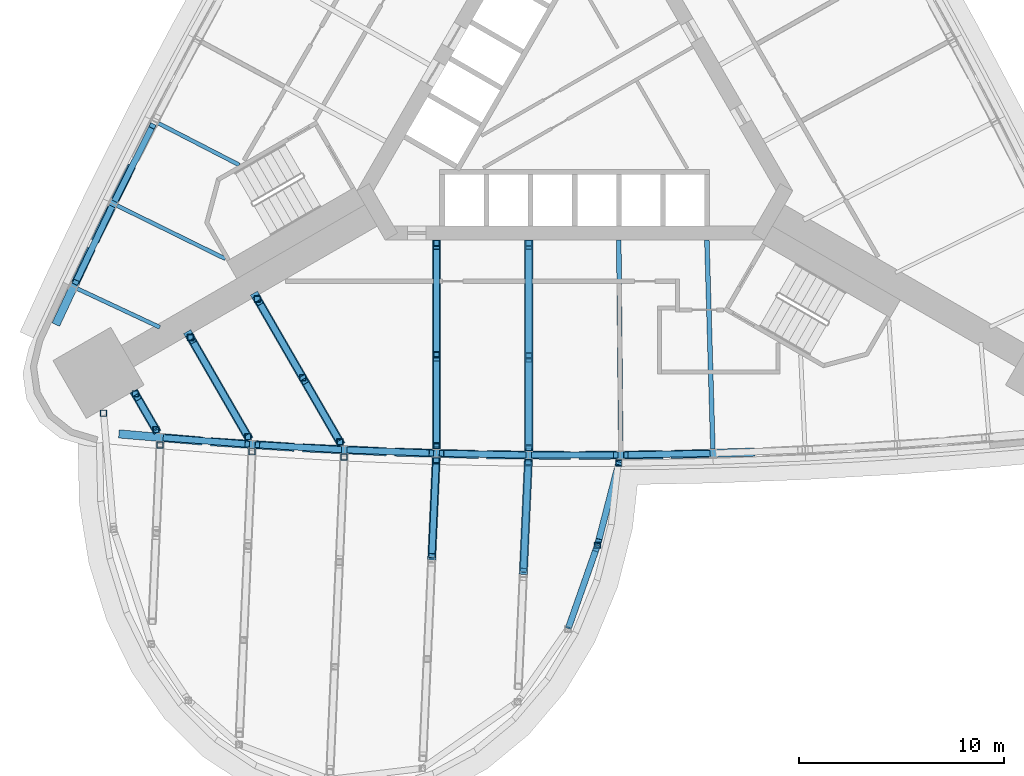
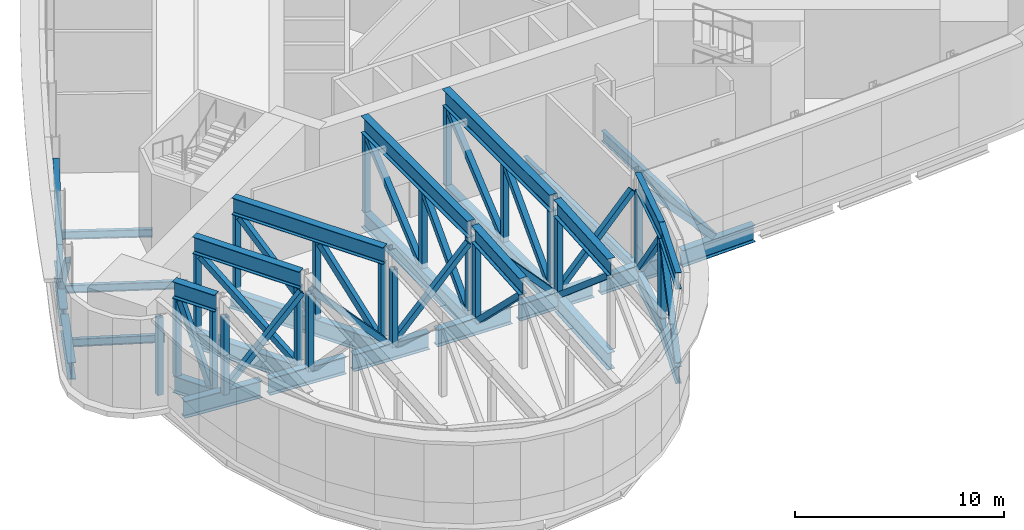
# One storey, part 3 of 10: 58 members, 14 beams.
"""IFC4 building model written with IfcOpenShell, lengths in metres."""

from ifc_helpers import new_model, si_unit, direction, frame, origin, origin_2d, place, context, subcontext, project, spatial, hollow_rectangle, i_section, extrude, material, material_profile, profile_set, type_object, element, save


model = new_model("IFC4")

# Units and contexts
model_context = context("Model", 3, precision=1e-05, world=origin(), true_north=direction((0.0, 1.0)))
body_context = subcontext(model_context, "Body", "Model", "MODEL_VIEW")
ifc_project = project(units=[si_unit("LENGTHUNIT", "METRE"), si_unit("AREAUNIT", "SQUARE_METRE"), si_unit("VOLUMEUNIT", "CUBIC_METRE"), si_unit("PLANEANGLEUNIT", "RADIAN"), si_unit("MASSUNIT", "GRAM", prefix="KILO")], contexts=[model_context])

# Site, building, storey
site_placement = place(None, origin())
site = spatial("IfcSite", under=ifc_project, at=site_placement, CompositionType="ELEMENT")
building_placement = place(site_placement, origin())
building = spatial("IfcBuilding", under=site, at=building_placement, Name="Noor Cloister Tower", CompositionType="ELEMENT")
storey_placement = place(building_placement, frame((0.0, 0.0, 52.800048828125)))
storey = spatial("IfcBuildingStorey", under=building, at=storey_placement, Name="L13", CompositionType="ELEMENT", Elevation=52.800048828125)

# Members
ifc_material_1 = material(Name="Steel ASTM A500 Gr C", Category="steel")
ifc_material_profile_1 = material_profile(ifc_material_1, hollow_rectangle(XDim=0.304931640625, YDim=0.304931640625, WallThickness=0.0126953125, at=origin_2d()), Name="HSS304.8x304.8x12.7")
ifc_profile_set_1 = profile_set([ifc_material_profile_1], Name="Steel ASTM A500 Gr C")
member_type_1 = type_object("IfcMemberType", Name="Belt truss diagonal HSS304.8x304.8x12.7", PredefinedType="BRACE", material=ifc_profile_set_1)
member_1_placement = place(storey_placement, frame((-22.35986328125, -4.93603515625, -0.1962890625), z_axis=(0.305957371114, 0.607053659606, 0.733400260035), x_axis=(-0.892992460473, 0.450071622676, 0.0)))
element("IfcMember", 1, at=member_1_placement, inside=storey, type_object=member_type_1, Name="Belt truss diagonal NW 08 L13", PredefinedType="BRACE", context=body_context, shape_type="SweptSolid", body=[
    extrude(hollow_rectangle(XDim=0.304931640625, YDim=0.304931640625, WallThickness=0.0126953125, at=origin_2d()), origin(), (0.0, 0.0, 1.0), 5.876220703125),
])
member_2_placement = place(storey_placement, frame((-22.57861328125, -5.380126953125, -0.1962890625), z_axis=(-0.293586775975, -0.613100264122, 0.733426800101), x_axis=(0.901925170571, -0.431892332289, 0.0)))
element("IfcMember", 2, at=member_2_placement, inside=storey, type_object=member_type_1, Name="Belt truss diagonal NW 09 L13", PredefinedType="BRACE", context=body_context, shape_type="SweptSolid", body=[
    extrude(hollow_rectangle(XDim=0.304931640625, YDim=0.304931640625, WallThickness=0.0126953125, at=origin_2d()), origin(), (0.0, 0.0, 1.0), 5.8759765625),
])
member_3_placement = place(storey_placement, frame((-19.931396484375, -16.558349609375, -0.1962890625), z_axis=(0.677846865424, -0.05151885462, 0.733395823995), x_axis=(0.07578510423, 0.9971241738, 0.0)))
element("IfcMember", 3, at=member_3_placement, inside=storey, type_object=member_type_1, Name="Belt truss diagonal S 01 L13", PredefinedType="BRACE", context=body_context, shape_type="SweptSolid", body=[
    extrude(hollow_rectangle(XDim=0.304931640625, YDim=0.304931640625, WallThickness=0.0126953125, at=origin_2d()), origin(), (0.0, 0.0, 1.0), 5.876220703125),
])
for number, where, z_axis, x_axis, name in (
    (4, (-11.466796875, -17.125244140625, -0.1962890625), (-0.67862583798, 0.039347252101, 0.733429455215), (-0.057883561134, -0.998323341083, 0.0), "Belt truss diagonal S 02 L13"),
    (5, (-10.97216796875, -17.148681640625, -0.1962890625), (0.679288090184, -0.025552766253, 0.733426715269), (0.037590393132, 0.999293231411, 0.0), "Belt truss diagonal S 03 L13"),
    (6, (-2.4921875, -17.391845703125, -0.1962890625), (-0.679650026194, 0.01342015885, 0.733413758551), (-0.019741841961, -0.999805110847, 0.0), "Belt truss diagonal S 04 L13"),
):
    element("IfcMember", number, at=place(storey_placement, frame(where, z_axis=z_axis, x_axis=x_axis)), inside=storey, type_object=member_type_1, Name=name, PredefinedType="BRACE", context=body_context, shape_type="SweptSolid", body=[
        extrude(hollow_rectangle(XDim=0.304931640625, YDim=0.304931640625, WallThickness=0.0126953125, at=origin_2d()), origin(), (0.0, 0.0, 1.0), 5.8759765625),
    ])
member_4_placement = place(storey_placement, frame((-1.997314453125, -17.396484375, -0.1962890625), z_axis=(0.679800582503, 0.000415475237, 0.733396888055), x_axis=(-0.000611172114, 0.999999813234, 0.0)))
element("IfcMember", 7, at=member_4_placement, inside=storey, type_object=member_type_1, Name="Belt truss diagonal S 05 L13", PredefinedType="BRACE", context=body_context, shape_type="SweptSolid", body=[
    extrude(hollow_rectangle(XDim=0.304931640625, YDim=0.304931640625, WallThickness=0.0126953125, at=origin_2d()), origin(), (0.0, 0.0, 1.0), 5.876220703125),
])
member_5_placement = place(storey_placement, frame((6.48583984375, -17.3154296875, -0.1962890625), z_axis=(-0.679657370943, -0.012589325308, 0.733421684307), x_axis=(0.018519869986, -0.9998284925, 0.0)))
element("IfcMember", 8, at=member_5_placement, inside=storey, type_object=member_type_1, Name="Belt truss diagonal S 06 L13", PredefinedType="BRACE", context=body_context, shape_type="SweptSolid", body=[
    extrude(hollow_rectangle(XDim=0.304931640625, YDim=0.304931640625, WallThickness=0.0126953125, at=origin_2d()), origin(), (0.0, 0.0, 1.0), 5.8759765625),
])
ifc_material_2 = material(Name="Steel ASTM A992 Gr 50", Category="steel")
ifc_material_profile_2 = material_profile(ifc_material_2, i_section(OverallWidth=0.300048828125, OverallDepth=0.97998046875, WebThickness=0.0166015625, FlangeThickness=0.026123046875, FilletRadius=0.02978515625, at=origin_2d()), Name="W1000x249")
ifc_profile_set_2 = profile_set([ifc_material_profile_2], Name="Steel ASTM A992 Gr 50")
member_type_2 = type_object("IfcMemberType", Name="Pod ring chord W1000x249", PredefinedType="CHORD", material=ifc_profile_set_2)
for number, where, z_axis, x_axis, name in (
    (9, (-0.31591796875, -25.84130859375, -0.7900390625), (0.331397014856, 0.943491398236, 0.0), (-0.943491398236, 0.331397014856, 0.0), "Pod truss 1 bottom chord ring 9"),
    (10, (-0.31591796875, -25.84130859375, 4.7099609375), (0.331397014856, 0.943491398236, 0.0), (-0.943491398236, 0.331397014856, 0.0), "Pod truss 1 top chord ring 9"),
):
    element("IfcMember", number, at=place(storey_placement, frame(where, z_axis=z_axis, x_axis=x_axis)), inside=storey, type_object=member_type_2, Name=name, PredefinedType="CHORD", context=body_context, shape_type="SweptSolid", body=[
        extrude(i_section(OverallWidth=0.300048828125, OverallDepth=0.97998046875, WebThickness=0.0166015625, FlangeThickness=0.026123046875, FilletRadius=0.02978515625, at=origin_2d()), origin(), (0.0, 0.0, 1.0), 4.29052734375),
    ])
member_6_placement = place(storey_placement, frame((1.109619140625, -21.781005859375, -0.7900390625), z_axis=(0.250429068365, 0.968134950158, 0.0), x_axis=(-0.968134950158, 0.250429068365, 0.0)))
element("IfcMember", 11, at=member_6_placement, inside=storey, type_object=member_type_2, Name="Pod truss 1 bottom chord ring 10", PredefinedType="CHORD", context=body_context, shape_type="SweptSolid", body=[
    extrude(i_section(OverallWidth=0.300048828125, OverallDepth=0.97998046875, WebThickness=0.0166015625, FlangeThickness=0.026123046875, FilletRadius=0.02978515625, at=origin_2d()), origin(), (0.0, 0.0, 1.0), 4.180419921875),
])
member_7_placement = place(storey_placement, frame((1.109619140625, -21.781005859375, 4.7099609375), z_axis=(0.250414142512, 0.968138810931, 0.0), x_axis=(-0.968138810931, 0.250414142512, 0.0)))
element("IfcMember", 12, at=member_7_placement, inside=storey, type_object=member_type_2, Name="Pod truss 1 top chord ring 10", PredefinedType="CHORD", context=body_context, shape_type="SweptSolid", body=[
    extrude(i_section(OverallWidth=0.300048828125, OverallDepth=0.97998046875, WebThickness=0.0166015625, FlangeThickness=0.026123046875, FilletRadius=0.02978515625, at=origin_2d()), origin(), (0.0, 0.0, 1.0), 4.282958984375),
])
ifc_material_3 = material(Name="Steel ASTM A992 Gr 50", Category="steel")
ifc_material_profile_3 = material_profile(ifc_material_3, i_section(OverallWidth=0.40087890625, OverallDepth=0.98291015625, WebThickness=0.0166015625, FlangeThickness=0.027099609375, FilletRadius=0.030029296875, at=origin_2d()), Name="W1000x296")
ifc_profile_set_3 = profile_set([ifc_material_profile_3], Name="Steel ASTM A992 Gr 50")
member_type_3 = type_object("IfcMemberType", Name="Pod truss chord W1000x296", PredefinedType="CHORD", material=ifc_profile_set_3)
member_8_placement = place(storey_placement, frame((-20.38671875, -16.175537109375, -0.79150390625), z_axis=(-0.499995765644, 0.866027848477, 0.0), x_axis=(-0.866027848477, -0.499995765644, 0.0)))
element("IfcMember", 13, at=member_8_placement, inside=storey, type_object=member_type_3, Name="Pod truss 1 bottom chord line 1 back span", PredefinedType="CHORD", context=body_context, shape_type="SweptSolid", body=[
    extrude(i_section(OverallWidth=0.40087890625, OverallDepth=0.98291015625, WebThickness=0.0166015625, FlangeThickness=0.027099609375, FilletRadius=0.030029296875, at=origin_2d()), origin(), (0.0, 0.0, 1.0), 2.1650390625),
])
member_9_placement = place(storey_placement, frame((-20.31884765625, -16.293212890625, 4.70849609375), z_axis=(-0.499943548949, 0.866057993361, 0.0), x_axis=(-0.866057993361, -0.499943548949, 0.0)))
element("IfcMember", 14, at=member_9_placement, inside=storey, type_object=member_type_3, Name="Pod truss 1 top chord line 1 back span", PredefinedType="CHORD", context=body_context, shape_type="SweptSolid", body=[
    extrude(i_section(OverallWidth=0.40087890625, OverallDepth=0.98291015625, WebThickness=0.0166015625, FlangeThickness=0.027099609375, FilletRadius=0.030029296875, at=origin_2d()), origin(), (0.0, 0.0, 1.0), 2.325927734375),
])
member_10_placement = place(storey_placement, frame((-15.90966796875, -16.51953125, -0.79150390625), z_axis=(-0.499980389869, 0.866036725403, 0.0), x_axis=(-0.866036725403, -0.499980389869, 0.0)))
element("IfcMember", 15, at=member_10_placement, inside=storey, type_object=member_type_3, Name="Pod truss 1 bottom chord line 2 back span", PredefinedType="CHORD", context=body_context, shape_type="SweptSolid", body=[
    extrude(i_section(OverallWidth=0.40087890625, OverallDepth=0.98291015625, WebThickness=0.0166015625, FlangeThickness=0.027099609375, FilletRadius=0.030029296875, at=origin_2d()), origin(), (0.0, 0.0, 1.0), 5.926513671875),
])
member_11_placement = place(storey_placement, frame((-15.842041015625, -16.636474609375, 4.70849609375), z_axis=(-0.500010856691, 0.86601913558, 0.0), x_axis=(-0.86601913558, -0.500010856691, 0.0)))
element("IfcMember", 16, at=member_11_placement, inside=storey, type_object=member_type_3, Name="Pod truss 1 top chord line 2 back span", PredefinedType="CHORD", context=body_context, shape_type="SweptSolid", body=[
    extrude(i_section(OverallWidth=0.40087890625, OverallDepth=0.98291015625, WebThickness=0.0166015625, FlangeThickness=0.027099609375, FilletRadius=0.030029296875, at=origin_2d()), origin(), (0.0, 0.0, 1.0), 5.886474609375),
])
member_12_placement = place(storey_placement, frame((-11.4267578125, -16.778076171875, -0.79150390625), z_axis=(-0.499987719618, 0.86603249375, 0.0), x_axis=(-0.86603249375, -0.499987719618, 0.0)))
element("IfcMember", 17, at=member_12_placement, inside=storey, type_object=member_type_3, Name="Pod truss 1 bottom chord line 3 back span", PredefinedType="CHORD", context=body_context, shape_type="SweptSolid", body=[
    extrude(i_section(OverallWidth=0.40087890625, OverallDepth=0.98291015625, WebThickness=0.0166015625, FlangeThickness=0.027099609375, FilletRadius=0.030029296875, at=origin_2d()), origin(), (0.0, 0.0, 1.0), 8.391845703125),
])
member_13_placement = place(storey_placement, frame((-11.359375, -16.89453125, 4.70849609375), z_axis=(-0.50001262068, 0.866018117109, 0.0), x_axis=(-0.866018117109, -0.50001262068, 0.0)))
element("IfcMember", 18, at=member_13_placement, inside=storey, type_object=member_type_3, Name="Pod truss 1 top chord line 3 back span", PredefinedType="CHORD", context=body_context, shape_type="SweptSolid", body=[
    extrude(i_section(OverallWidth=0.40087890625, OverallDepth=0.98291015625, WebThickness=0.0166015625, FlangeThickness=0.027099609375, FilletRadius=0.030029296875, at=origin_2d()), origin(), (0.0, 0.0, 1.0), 8.351318359375),
])
member_14_placement = place(storey_placement, frame((-6.742431640625, -17.514404296875, 4.70849609375), z_axis=(-0.044739321254, -0.998998695261, 0.0), x_axis=(0.998998695261, -0.044739321254, 0.0)))
element("IfcMember", 19, at=member_14_placement, inside=storey, type_object=member_type_3, Name="Pod truss 1 top chord line 4 cantilever 1", PredefinedType="CHORD", context=body_context, shape_type="SweptSolid", body=[
    extrude(i_section(OverallWidth=0.40087890625, OverallDepth=0.98291015625, WebThickness=0.0166015625, FlangeThickness=0.027099609375, FilletRadius=0.030029296875, at=origin_2d()), origin(), (0.0, 0.0, 1.0), 4.987548828125),
])
member_15_placement = place(storey_placement, frame((-6.7333984375, -17.00244140625, -0.79150390625), z_axis=(0.0, 1.0, 0.0), x_axis=(-1.0, 0.0, 0.0)))
element("IfcMember", 20, at=member_15_placement, inside=storey, type_object=member_type_3, Name="Pod truss 1 bottom chord line 4 back span", PredefinedType="CHORD", context=body_context, shape_type="SweptSolid", body=[
    extrude(i_section(OverallWidth=0.40087890625, OverallDepth=0.98291015625, WebThickness=0.0166015625, FlangeThickness=0.027099609375, FilletRadius=0.030029296875, at=origin_2d()), origin(), (0.0, 0.0, 1.0), 10.07421875),
])
member_16_placement = place(storey_placement, frame((-6.7333984375, -17.099609375, 4.70849609375), z_axis=(0.0, 1.0, 0.0), x_axis=(-1.0, 0.0, 0.0)))
element("IfcMember", 21, at=member_16_placement, inside=storey, type_object=member_type_3, Name="Pod truss 1 top chord line 4 back span", PredefinedType="CHORD", context=body_context, shape_type="SweptSolid", body=[
    extrude(i_section(OverallWidth=0.40087890625, OverallDepth=0.98291015625, WebThickness=0.0166015625, FlangeThickness=0.027099609375, FilletRadius=0.030029296875, at=origin_2d()), origin(), (0.0, 0.0, 1.0), 10.17138671875),
])
member_17_placement = place(storey_placement, frame((-2.258544921875, -17.700927734375, -0.79150390625), z_axis=(-0.044714138364, -0.998999822738, 0.0), x_axis=(0.998999822738, -0.044714138364, 0.0)))
element("IfcMember", 22, at=member_17_placement, inside=storey, type_object=member_type_3, Name="Pod truss 1 bottom chord line 5 cantilever 1", PredefinedType="CHORD", context=body_context, shape_type="SweptSolid", body=[
    extrude(i_section(OverallWidth=0.40087890625, OverallDepth=0.98291015625, WebThickness=0.0166015625, FlangeThickness=0.027099609375, FilletRadius=0.030029296875, at=origin_2d()), origin(), (0.0, 0.0, 1.0), 5.50927734375),
])
member_18_placement = place(storey_placement, frame((-2.254150390625, -17.603759765625, 4.70849609375), z_axis=(-0.044722219887, -0.998999460985, 0.0), x_axis=(0.998999460985, -0.044722219887, 0.0)))
element("IfcMember", 23, at=member_18_placement, inside=storey, type_object=member_type_3, Name="Pod truss 1 top chord line 5 cantilever 1", PredefinedType="CHORD", context=body_context, shape_type="SweptSolid", body=[
    extrude(i_section(OverallWidth=0.40087890625, OverallDepth=0.98291015625, WebThickness=0.0166015625, FlangeThickness=0.027099609375, FilletRadius=0.030029296875, at=origin_2d()), origin(), (0.0, 0.0, 1.0), 5.6064453125),
])
member_19_placement = place(storey_placement, frame((-2.24462890625, -17.09228515625, -0.79150390625), z_axis=(0.0, 1.0, 0.0), x_axis=(-1.0, 0.0, 0.0)))
element("IfcMember", 24, at=member_19_placement, inside=storey, type_object=member_type_3, Name="Pod truss 1 bottom chord line 5 back span", PredefinedType="CHORD", context=body_context, shape_type="SweptSolid", body=[
    extrude(i_section(OverallWidth=0.40087890625, OverallDepth=0.98291015625, WebThickness=0.0166015625, FlangeThickness=0.027099609375, FilletRadius=0.030029296875, at=origin_2d()), origin(), (0.0, 0.0, 1.0), 10.1640625),
])
member_20_placement = place(storey_placement, frame((-2.24462890625, -17.189208984375, 4.70849609375), z_axis=(0.0, 1.0, 0.0), x_axis=(-1.0, 0.0, 0.0)))
element("IfcMember", 25, at=member_20_placement, inside=storey, type_object=member_type_3, Name="Pod truss 1 top chord line 5 back span", PredefinedType="CHORD", context=body_context, shape_type="SweptSolid", body=[
    extrude(i_section(OverallWidth=0.40087890625, OverallDepth=0.98291015625, WebThickness=0.0166015625, FlangeThickness=0.027099609375, FilletRadius=0.030029296875, at=origin_2d()), origin(), (0.0, 0.0, 1.0), 10.260986328125),
])
ifc_material_4 = material(Name="Steel ASTM A500 Gr C", Category="steel")
ifc_material_profile_4 = material_profile(ifc_material_4, hollow_rectangle(XDim=0.304931640625, YDim=0.304931640625, WallThickness=0.0126953125, at=origin_2d()), Name="HSS304.8x304.8x12.7")
ifc_profile_set_4 = profile_set([ifc_material_profile_4], Name="Steel ASTM A500 Gr C")
member_type_4 = type_object("IfcMemberType", Name="Pod truss diagonal HSS304.8x304.8x12.7", PredefinedType="BRACE", material=ifc_profile_set_4)
member_21_placement = place(storey_placement, frame((-0.25732421875, -25.674072265625, -0.197509765625), z_axis=(0.222949654647, 0.634600547509, 0.739983511029), x_axis=(-0.943468557585, 0.331462035306, 0.0)))
element("IfcMember", 26, at=member_21_placement, inside=storey, type_object=member_type_4, Name="Pod truss 1 diagonal ring 9", PredefinedType="BRACE", context=body_context, shape_type="SweptSolid", body=[
    extrude(hollow_rectangle(XDim=0.304931640625, YDim=0.304931640625, WallThickness=0.0126953125, at=origin_2d()), origin(), (0.0, 0.0, 1.0), 5.8310546875),
])
member_22_placement = place(storey_placement, frame((1.157470703125, -21.595947265625, 4.1201171875), z_axis=(0.163944517715, 0.633821978597, -0.75590468616), x_axis=(-0.968137639267, 0.250418672295, 0.0)))
element("IfcMember", 27, at=member_22_placement, inside=storey, type_object=member_type_4, Name="Pod truss 1 diagonal ring 10", PredefinedType="BRACE", context=body_context, shape_type="SweptSolid", body=[
    extrude(hollow_rectangle(XDim=0.304931640625, YDim=0.304931640625, WallThickness=0.0126953125, at=origin_2d()), origin(), (0.0, 0.0, 1.0), 5.71533203125),
])
member_23_placement = place(storey_placement, frame((-20.493896484375, -15.989990234375, -0.247314453125), z_axis=(-0.172914796637, 0.29945934901, 0.93830942199), x_axis=(-0.865998027924, -0.500047413384, 0.0)))
element("IfcMember", 28, at=member_23_placement, inside=storey, type_object=member_type_4, Name="Pod truss 1 diagonal line 1 back span 1", PredefinedType="BRACE", context=body_context, shape_type="SweptSolid", body=[
    extrude(hollow_rectangle(XDim=0.304931640625, YDim=0.304931640625, WallThickness=0.0126953125, at=origin_2d()), origin(), (0.0, 0.0, 1.0), 4.70166015625),
])
member_24_placement = place(storey_placement, frame((-16.01708984375, -16.33349609375, -0.182373046875), z_axis=(-0.385580913606, 0.667851407318, 0.636633219999), x_axis=(-0.866027243369, -0.499996813733, 0.0)))
element("IfcMember", 29, at=member_24_placement, inside=storey, type_object=member_type_4, Name="Pod truss 1 diagonal line 2 back span 1", PredefinedType="BRACE", context=body_context, shape_type="SweptSolid", body=[
    extrude(hollow_rectangle(XDim=0.304931640625, YDim=0.304931640625, WallThickness=0.0126953125, at=origin_2d()), origin(), (0.0, 0.0, 1.0), 6.7255859375),
])
member_25_placement = place(storey_placement, frame((-11.534423828125, -16.591552734375, -0.208984375), z_axis=(-0.298513365776, 0.517010510758, 0.802240551343), x_axis=(-0.866012922167, -0.500021618173, 0.0)))
element("IfcMember", 30, at=member_25_placement, inside=storey, type_object=member_type_4, Name="Pod truss 1 diagonal line 3 back span 1", PredefinedType="BRACE", context=body_context, shape_type="SweptSolid", body=[
    extrude(hollow_rectangle(XDim=0.304931640625, YDim=0.304931640625, WallThickness=0.0126953125, at=origin_2d()), origin(), (0.0, 0.0, 1.0), 5.403564453125),
])
member_26_placement = place(storey_placement, frame((-13.344970703125, -13.45556640625, -0.19580078125), z_axis=(-0.341557445187, 0.591621855323, 0.730289046845), x_axis=(-0.866035286884, -0.499982881579, 0.0)))
element("IfcMember", 31, at=member_26_placement, inside=storey, type_object=member_type_4, Name="Pod truss 1 diagonal line 3 back span 2", PredefinedType="BRACE", context=body_context, shape_type="SweptSolid", body=[
    extrude(hollow_rectangle(XDim=0.304931640625, YDim=0.304931640625, WallThickness=0.0126953125, at=origin_2d()), origin(), (0.0, 0.0, 1.0), 5.89990234375),
])
member_27_placement = place(storey_placement, frame((-6.75830078125, -17.864013671875, -0.1904296875), z_axis=(-0.032119729449, -0.717814716312, 0.695492887113), x_axis=(0.999000374174, -0.044701816512, 0.0)))
element("IfcMember", 32, at=member_27_placement, inside=storey, type_object=member_type_4, Name="Pod truss 1 diagonal line 4 cantilever 1", PredefinedType="BRACE", context=body_context, shape_type="SweptSolid", body=[
    extrude(hollow_rectangle(XDim=0.304931640625, YDim=0.304931640625, WallThickness=0.0126953125, at=origin_2d()), origin(), (0.0, 0.0, 1.0), 6.1796875),
])
member_28_placement = place(storey_placement, frame((-6.7333984375, -16.749755859375, -0.195556640625), z_axis=(0.0, 0.684487894264, 0.729024226351), x_axis=(-1.0, 0.0, 0.0)))
element("IfcMember", 33, at=member_28_placement, inside=storey, type_object=member_type_4, Name="Pod truss 1 diagonal line 4 back span 1", PredefinedType="BRACE", context=body_context, shape_type="SweptSolid", body=[
    extrude(hollow_rectangle(XDim=0.304931640625, YDim=0.304931640625, WallThickness=0.0126953125, at=origin_2d()), origin(), (0.0, 0.0, 1.0), 5.909423828125),
])
member_29_placement = place(storey_placement, frame((-6.7333984375, -12.309814453125, -0.183837890625), z_axis=(0.0, 0.761349261319, 0.648341964004), x_axis=(-1.0, 0.0, 0.0)))
element("IfcMember", 34, at=member_29_placement, inside=storey, type_object=member_type_4, Name="Pod truss 1 diagonal line 4 back span 2", PredefinedType="BRACE", context=body_context, shape_type="SweptSolid", body=[
    extrude(hollow_rectangle(XDim=0.304931640625, YDim=0.304931640625, WallThickness=0.0126953125, at=origin_2d()), origin(), (0.0, 0.0, 1.0), 6.608642578125),
])
member_30_placement = place(storey_placement, frame((-2.269775390625, -17.95361328125, -0.18359375), z_axis=(-0.034139961471, -0.762348654205, 0.646265419516), x_axis=(0.998998764697, -0.044737770767, 0.0)))
element("IfcMember", 35, at=member_30_placement, inside=storey, type_object=member_type_4, Name="Pod truss 1 diagonal line 5 cantilever 1", PredefinedType="BRACE", context=body_context, shape_type="SweptSolid", body=[
    extrude(hollow_rectangle(XDim=0.304931640625, YDim=0.304931640625, WallThickness=0.0126953125, at=origin_2d()), origin(), (0.0, 0.0, 1.0), 6.629150390625),
])
member_31_placement = place(storey_placement, frame((-2.24462890625, -16.839111328125, -0.195068359375), z_axis=(0.0, 0.688167742522, 0.725551623354), x_axis=(-1.0, 0.0, 0.0)))
element("IfcMember", 36, at=member_31_placement, inside=storey, type_object=member_type_4, Name="Pod truss 1 diagonal line 5 back span 1", PredefinedType="BRACE", context=body_context, shape_type="SweptSolid", body=[
    extrude(hollow_rectangle(XDim=0.304931640625, YDim=0.304931640625, WallThickness=0.0126953125, at=origin_2d()), origin(), (0.0, 0.0, 1.0), 5.936279296875),
])
member_32_placement = place(storey_placement, frame((-2.24462890625, -12.35888671875, -0.183349609375), z_axis=(0.0, 0.764516642812, 0.644603989177), x_axis=(-1.0, 0.0, 0.0)))
element("IfcMember", 37, at=member_32_placement, inside=storey, type_object=member_type_4, Name="Pod truss 1 diagonal line 5 back span 2", PredefinedType="BRACE", context=body_context, shape_type="SweptSolid", body=[
    extrude(hollow_rectangle(XDim=0.304931640625, YDim=0.304931640625, WallThickness=0.0126953125, at=origin_2d()), origin(), (0.0, 0.0, 1.0), 6.6455078125),
])
ifc_material_5 = material(Name="Steel ASTM A500 Gr C", Category="steel")
ifc_material_profile_5 = material_profile(ifc_material_5, hollow_rectangle(XDim=0.304931640625, YDim=0.304931640625, WallThickness=0.0126953125, at=origin_2d()), Name="HSS304.8x304.8x12.7")
ifc_profile_set_5 = profile_set([ifc_material_profile_5], Name="Steel ASTM A500 Gr C")
member_type_5 = type_object("IfcMemberType", Name="Pod truss post HSS304.8x304.8x12.7", PredefinedType="POST", material=ifc_profile_set_5)
for number, where, z_axis, x_axis, name in (
    (38, (-22.94482421875, -15.3564453125, -0.300048828125), (0.0, 0.0, 1.0), (1.0, 0.0, 0.0), "Pod truss 1 post ring node 0"),
    (39, (1.108154296875, -21.787109375, -0.300048828125), (0.0, 0.0, 1.0), (1.0, 0.0, 0.0), "Pod truss 1 post ring node 9"),
    (40, (2.14404296875, -17.7822265625, -0.300048828125), (0.0, 0.0, 1.0), (1.0, 0.0, 0.0), "Pod truss 1 post ring node 10"),
):
    element("IfcMember", number, at=place(storey_placement, frame(where, z_axis=z_axis, x_axis=x_axis)), inside=storey, type_object=member_type_5, Name=name, PredefinedType="POST", context=body_context, shape_type="SweptSolid", body=[
        extrude(hollow_rectangle(XDim=0.304931640625, YDim=0.304931640625, WallThickness=0.0126953125, at=origin_2d()), origin(), (0.0, 0.0, 1.0), 4.52001953125),
    ])
for number, where, z_axis, x_axis, name in (
    (41, (-20.194091796875, -16.900634765625, -0.300048828125), (0.0, 0.0, 1.0), (1.0, 0.0, 0.0), "Pod truss 1 post line 1 cantilever 1"),
    (42, (-20.39501953125, -16.1611328125, -0.300048828125), (0.0, 0.0, 1.0), (1.0, 0.0, 0.0), "Pod truss 1 post line 1 back span 1"),
    (43, (-21.405517578125, -14.410888671875, -0.300048828125), (0.0, 0.0, 1.0), (1.0, 0.0, 0.0), "Pod truss 1 post line 1 back span 2"),
    (44, (-15.717529296875, -17.239501953125, -0.300048828125), (0.0, 0.0, 1.0), (1.0, 0.0, 0.0), "Pod truss 1 post line 2 cantilever 1"),
    (45, (-15.918212890625, -16.50439453125, -0.300048828125), (0.0, 0.0, 1.0), (1.0, 0.0, 0.0), "Pod truss 1 post line 2 back span 1"),
    (46, (-18.709228515625, -11.670654296875, -0.300048828125), (0.0, 0.0, 1.0), (1.0, 0.0, 0.0), "Pod truss 1 post line 2 back span 2"),
    (47, (-11.2353515625, -17.49267578125, -0.300048828125), (0.0, 0.0, 1.0), (1.0, 0.0, 0.0), "Pod truss 1 post line 3 cantilever 1"),
    (48, (-11.435791015625, -16.762451171875, -0.300048828125), (0.0, 0.0, 1.0), (1.0, 0.0, 0.0), "Pod truss 1 post line 3 back span 1"),
    (49, (-13.24609375, -13.626708984375, -0.300048828125), (0.0, 0.0, 1.0), (1.0, 0.0, 0.0), "Pod truss 1 post line 3 back span 2"),
    (50, (-15.458984375, -9.794189453125, -0.300048828125), (0.0, 0.0, 1.0), (1.0, 0.0, 0.0), "Pod truss 1 post line 3 back span 3"),
    (51, (-6.749267578125, -17.666748046875, -0.300048828125), (0.0, 0.0, 1.0), (1.0, 0.0, 0.0), "Pod truss 1 post line 4 cantilever 1"),
    (52, (-6.7333984375, -16.947265625, -0.300048828125), (0.0, 0.0, 1.0), (1.0, 0.0, 0.0), "Pod truss 1 post line 4 back span 1"),
    (53, (-6.7333984375, -12.50732421875, -0.300048828125), (0.0, 0.0, 1.0), (1.0, 0.0, 0.0), "Pod truss 1 post line 4 back span 2"),
    (54, (-6.7333984375, -7.080810546875, -0.300048828125), (0.0, 0.0, 1.0), (1.0, 0.0, 0.0), "Pod truss 1 post line 4 back span 3"),
    (55, (-2.260986328125, -17.756103515625, -0.300048828125), (0.0, 0.0, 1.0), (1.0, 0.0, 0.0), "Pod truss 1 post line 5 cantilever 1"),
    (56, (-2.24462890625, -17.03662109375, -0.300048828125), (0.0, 0.0, 1.0), (1.0, 0.0, 0.0), "Pod truss 1 post line 5 back span 1"),
    (57, (-2.24462890625, -12.556396484375, -0.300048828125), (0.0, 0.0, 1.0), (1.0, 0.0, 0.0), "Pod truss 1 post line 5 back span 2"),
    (58, (-2.24462890625, -7.080810546875, -0.300048828125), (0.0, 0.0, 1.0), (1.0, 0.0, 0.0), "Pod truss 1 post line 5 back span 3"),
):
    element("IfcMember", number, at=place(storey_placement, frame(where, z_axis=z_axis, x_axis=x_axis)), inside=storey, type_object=member_type_5, Name=name, PredefinedType="POST", context=body_context, shape_type="SweptSolid", body=[
        extrude(hollow_rectangle(XDim=0.304931640625, YDim=0.304931640625, WallThickness=0.0126953125, at=origin_2d()), origin(), (0.0, 0.0, 1.0), 4.51708984375),
    ])

# Beams
ifc_material_6 = material(Name="Steel ASTM A992 Gr 50", Category="steel")
ifc_material_profile_6 = material_profile(ifc_material_6, i_section(OverallWidth=0.19091796875, OverallDepth=0.45703125, WebThickness=0.009033203125, FlangeThickness=0.014404296875, FilletRadius=0.01025390625, at=origin_2d()), Name="W460x74")
ifc_profile_set_6 = profile_set([ifc_material_profile_6], Name="Steel ASTM A992 Gr 50")
beam_type_1 = type_object("IfcBeamType", Name="Radial beam W460x74", PredefinedType="BEAM", material=ifc_profile_set_6)
beam_1_placement = place(storey_placement, frame((-20.2724609375, -1.23974609375, -0.528564453125), z_axis=(0.888882765209, -0.45813472878, 0.0), x_axis=(0.45813472878, 0.888882765209, 0.0)))
element("IfcBeam", 59, at=beam_1_placement, inside=storey, type_object=beam_type_1, Name="Radial beam NW 08 L13", PredefinedType="BEAM", context=body_context, shape_type="SweptSolid", body=[
    extrude(i_section(OverallWidth=0.19091796875, OverallDepth=0.45703125, WebThickness=0.009033203125, FlangeThickness=0.014404296875, FilletRadius=0.01025390625, at=origin_2d()), origin(), (0.0, 0.0, 1.0), 4.4306640625),
])
beam_2_placement = place(storey_placement, frame((-22.289306640625, -5.246337890625, -0.528564453125), z_axis=(0.897473795315, -0.44106778019, 0.0), x_axis=(0.44106778019, 0.897473795315, 0.0)))
element("IfcBeam", 60, at=beam_2_placement, inside=storey, type_object=beam_type_1, Name="Radial beam NW 09 L13", PredefinedType="BEAM", context=body_context, shape_type="SweptSolid", body=[
    extrude(i_section(OverallWidth=0.19091796875, OverallDepth=0.45703125, WebThickness=0.009033203125, FlangeThickness=0.014404296875, FilletRadius=0.01025390625, at=origin_2d()), origin(), (0.0, 0.0, 1.0), 5.87353515625),
])
beam_3_placement = place(storey_placement, frame((-24.22900390625, -9.290771484375, -0.528564453125), z_axis=(0.90571939898, -0.423877777563, 0.0), x_axis=(0.423877777563, 0.90571939898, 0.0)))
element("IfcBeam", 61, at=beam_3_placement, inside=storey, type_object=beam_type_1, Name="Radial beam NW 10 L13", PredefinedType="BEAM", context=body_context, shape_type="SweptSolid", body=[
    extrude(i_section(OverallWidth=0.19091796875, OverallDepth=0.45703125, WebThickness=0.009033203125, FlangeThickness=0.014404296875, FilletRadius=0.01025390625, at=origin_2d()), origin(), (0.0, 0.0, 1.0), 4.443603515625),
])
ifc_material_7 = material(Name="Steel ASTM A992 Gr 50", Category="steel")
ifc_material_profile_7 = material_profile(ifc_material_7, i_section(OverallWidth=0.22802734375, OverallDepth=0.60205078125, WebThickness=0.010498046875, FlangeThickness=0.014892578125, FilletRadius=0.0126953125, at=origin_2d()), Name="W610x101")
ifc_profile_set_7 = profile_set([ifc_material_profile_7], Name="Steel ASTM A992 Gr 50")
beam_type_2 = type_object("IfcBeamType", Name="Radial beam W610x101", PredefinedType="BEAM", material=ifc_profile_set_7)
beam_4_placement = place(storey_placement, frame((2.242919921875, -17.193603515625, -0.60107421875), z_axis=(-0.009560292728, 0.999954299357, 0.0), x_axis=(-0.999954299357, -0.009560292728, 0.0)))
element("IfcBeam", 62, at=beam_4_placement, inside=storey, type_object=beam_type_2, Name="Radial beam S 06 L13", PredefinedType="BEAM", context=body_context, shape_type="SweptSolid", body=[
    extrude(i_section(OverallWidth=0.22802734375, OverallDepth=0.60205078125, WebThickness=0.010498046875, FlangeThickness=0.014892578125, FilletRadius=0.0126953125, at=origin_2d()), origin(), (0.0, 0.0, 1.0), 10.265869140625),
])
beam_5_placement = place(storey_placement, frame((6.7275390625, -17.10791015625, -0.60107421875), z_axis=(-0.028648060349, 0.999589560089, 0.0), x_axis=(-0.999589560089, -0.028648060349, 0.0)))
element("IfcBeam", 63, at=beam_5_placement, inside=storey, type_object=beam_type_2, Name="Radial beam S 07 L13", PredefinedType="BEAM", context=body_context, shape_type="SweptSolid", body=[
    extrude(i_section(OverallWidth=0.22802734375, OverallDepth=0.60205078125, WebThickness=0.010498046875, FlangeThickness=0.014892578125, FilletRadius=0.0126953125, at=origin_2d()), origin(), (0.0, 0.0, 1.0), 10.183837890625),
])
ifc_material_8 = material(Name="Steel ASTM A992 Gr 50", Category="steel")
ifc_material_profile_8 = material_profile(ifc_material_8, i_section(OverallWidth=0.40087890625, OverallDepth=0.98291015625, WebThickness=0.0166015625, FlangeThickness=0.027099609375, FilletRadius=0.030029296875, at=origin_2d()), Name="W1000x296")
ifc_profile_set_8 = profile_set([ifc_material_profile_8], Name="Steel ASTM A992 Gr 50")
beam_type_3 = type_object("IfcBeamType", Name="Transfer girder W1000x296", PredefinedType="BEAM", material=ifc_profile_set_8)
for number, where, z_axis, x_axis, name in (
    (64, (-21.56201171875, -3.31494140625, -0.79150390625), (-0.441611503517, -0.897206375346, 0.0), (0.897206375346, -0.441611503517, 0.0), "Transfer girder NW 09 L13"),
    (65, (-23.537109375, -7.343017578125, -0.79150390625), (-0.424579318133, -0.905390745818, 0.0), (0.905390745818, -0.424579318133, 0.0), "Transfer girder NW 10 L13"),
):
    element("IfcBeam", number, at=place(storey_placement, frame(where, z_axis=z_axis, x_axis=x_axis)), inside=storey, type_object=beam_type_3, Name=name, PredefinedType="BEAM", context=body_context, shape_type="SweptSolid", body=[
        extrude(i_section(OverallWidth=0.40087890625, OverallDepth=0.98291015625, WebThickness=0.0166015625, FlangeThickness=0.027099609375, FilletRadius=0.030029296875, at=origin_2d()), origin(), (0.0, 0.0, 1.0), 4.08544921875),
    ])
for number, where, z_axis, x_axis, name in (
    (66, (-22.198486328125, -16.364990234375, -0.79150390625), (0.996383166947, -0.084974023234, 0.0), (0.084974023234, 0.996383166947, 0.0), "Transfer girder S 01 L13"),
    (67, (-17.728515625, -16.74560546875, -0.79150390625), (0.997809679637, -0.066150156627, 0.0), (0.066150156627, 0.997809679637, 0.0), "Transfer girder S 02 L13"),
    (68, (-13.251953125, -17.040771484375, -0.79150390625), (0.998882288685, -0.047267042974, 0.0), (0.047267042974, 0.998882288685, 0.0), "Transfer girder S 03 L13"),
    (69, (-8.7705078125, -17.25048828125, -0.79150390625), (0.999597091295, -0.028384063747, 0.0), (0.028384063747, 0.999597091295, 0.0), "Transfer girder S 04 L13"),
    (70, (-4.285888671875, -17.374755859375, -0.79150390625), (0.999955428668, -0.00944143407, 0.0), (0.00944143407, 0.999955428668, 0.0), "Transfer girder S 05 L13"),
    (71, (0.200439453125, -17.413330078125, -0.79150390625), (0.999955428668, 0.00944143407, 0.0), (-0.00944143407, 0.999955428668, 0.0), "Transfer girder S 06 L13"),
    (72, (4.6865234375, -17.366455078125, -0.79150390625), (0.999597091295, 0.028384063747, 0.0), (-0.028384063747, 0.999597091295, 0.0), "Transfer girder S 07 L13"),
):
    element("IfcBeam", number, at=place(storey_placement, frame(where, z_axis=z_axis, x_axis=x_axis)), inside=storey, type_object=beam_type_3, Name=name, PredefinedType="BEAM", context=body_context, shape_type="SweptSolid", body=[
        extrude(i_section(OverallWidth=0.40087890625, OverallDepth=0.98291015625, WebThickness=0.0166015625, FlangeThickness=0.027099609375, FilletRadius=0.030029296875, at=origin_2d()), origin(), (0.0, 0.0, 1.0), 4.085693359375),
    ])

save(model, "model.ifc")
